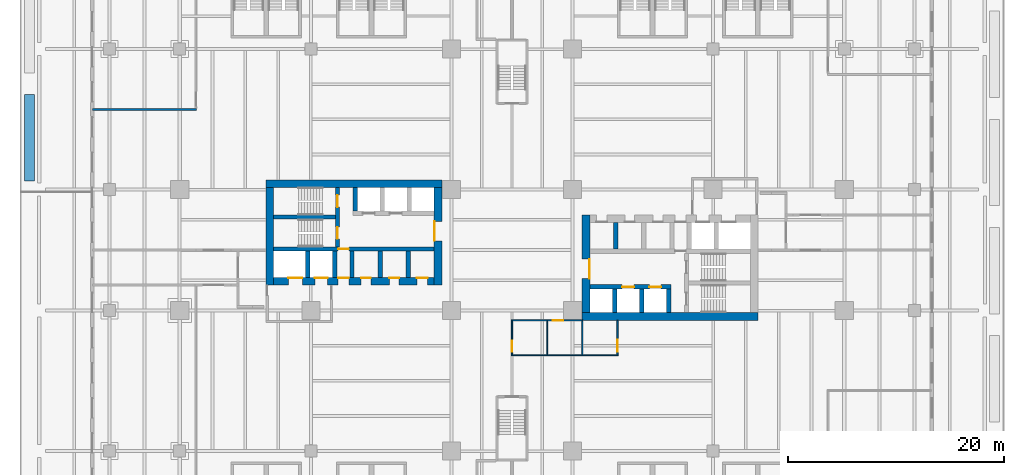
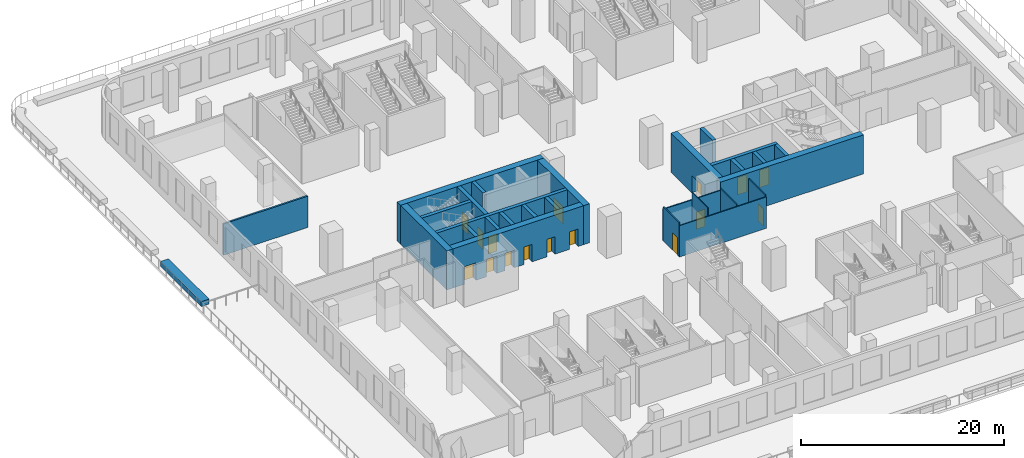
# One storey, part 9 of 18: 28 walls, 16 doors, 16 openings.
"""IFC4 building model written with IfcOpenShell, lengths in metres."""

from ifc_helpers import new_model, si_unit, direction, frame, frame_2d, origin, place, context, subcontext, project, spatial, polyline, rectangle, outline, extrude, source, transform, mapped, material, layer, layer_set, type_object, element, fill, save


model = new_model("IFC4")

# Units and contexts
model_context = context("Model", 3, precision=1e-05, world=origin(), true_north=direction((0.0, 1.0)))
body_context = subcontext(model_context, "Body", "Model", "MODEL_VIEW")
ifc_project = project(units=[si_unit("LENGTHUNIT", "METRE"), si_unit("AREAUNIT", "SQUARE_METRE"), si_unit("VOLUMEUNIT", "CUBIC_METRE"), si_unit("PLANEANGLEUNIT", "RADIAN"), si_unit("MASSUNIT", "GRAM", prefix="KILO")], contexts=[model_context])

# Site, building, storey
site_placement = place(None, origin())
site = spatial("IfcSite", under=ifc_project, at=site_placement, CompositionType="ELEMENT")
building_placement = place(site_placement, origin())
building = spatial("IfcBuilding", under=site, at=building_placement, Name="Trellis Farm Tower", CompositionType="ELEMENT")
storey_placement = place(building_placement, frame((0.0, 0.0, 14.0)))
storey = spatial("IfcBuildingStorey", under=building, at=storey_placement, Name="L02", CompositionType="ELEMENT", Elevation=14.0)

# Wall
ifc_material_1 = material(Name="Sandstone faced masonry planter", Category="masonry")
ifc_layer_1 = layer(ifc_material_1, 0.89990234375)
ifc_layer_set_1 = layer_set([ifc_layer_1], Name="TERRACE PLANTER BED 900")
wall_type_1 = type_object("IfcWallType", Name="TERRACE PLANTER BED 900", PredefinedType="USERDEFINED", material=ifc_layer_set_1)
wall_1_placement = place(storey_placement, origin())
element("IfcWall", 1, at=wall_1_placement, inside=storey, type_object=wall_type_1, Name="PLANTER bed", ObjectType="PLANTER", PredefinedType="USERDEFINED", context=body_context, shape_type="SweptSolid", body=[
    extrude(outline(polyline([(-45.10009765625, 14.375), (-44.199951171875, 14.375), (-44.199951171875, 6.375), (-45.10009765625, 6.375), (-45.10009765625, 14.375)])), origin(), (0.0, 0.0, 1.0), 0.60009765625),
])

# Wall, opening, door
ifc_material_2 = material(Name="Concrete C80/95", Category="concrete")
ifc_layer_2 = layer(ifc_material_2, 0.699951171875)
ifc_layer_set_2 = layer_set([ifc_layer_2], Name="CORE OUTER WALL 700 CONCRETE C80/95")
wall_type_2 = type_object("IfcWallType", Name="CORE OUTER WALL 700 CONCRETE C80/95", PredefinedType="SHEAR", material=ifc_layer_set_2)
shared_shape_1 = source(origin(), body_context, "Body", "SweptSolid", [
    extrude(rectangle(XDim=9.050048828125, YDim=0.699951171875, at=frame_2d((4.52490234375, 0.0))), origin(), (0.0, 0.0, 1.0), 4.699951171875),
])
wall_2_placement = place(storey_placement, frame((6.85009765625, -5.800048828125, 0.0), z_axis=(0.0, 0.0, 1.0), x_axis=(0.0, 1.0, 0.0)))
wall_2 = element("IfcWall", 2, at=wall_2_placement, inside=storey, type_object=wall_type_2, Name="Core wall", PredefinedType="SHEAR", context=body_context, shape_type="MappedRepresentation", body=[
    mapped(shared_shape_1, transform((0.0, 0.0, 0.0))),
])
shared_shape_2 = source(origin(), body_context, "Body", "SweptSolid", [
    extrude(rectangle(XDim=1.800048828125, YDim=2.10009765625, at=frame_2d((0.89990234375, 1.050048828125))), frame((0.0, 0.360107421875, 0.0), z_axis=(0.0, -1.0, 0.0), x_axis=(1.0, 0.0, 0.0)), (0.0, 0.0, 1.0), 0.72021484375),
])
opening_1_placement = place(wall_2_placement, frame((3.14990234375, 0.0, 0.0)))
opening_1 = element("IfcOpeningElement", 3, at=opening_1_placement, cuts=wall_2, Name="Opening DC1", PredefinedType="OPENING", context=body_context, shape_type="MappedRepresentation", body=[
    mapped(shared_shape_2, transform((0.0, 0.0, 0.0))),
])
ifc_material_3 = material(Name="Steel", Category="steel")
door_type_1 = type_object("IfcDoorType", Name="CORE FIRE DOOR DOUBLE 1800 X 2100", OperationType="DOUBLE_DOOR_SINGLE_SWING", PredefinedType="DOOR", material=ifc_material_3)
shared_shape_3 = source(origin(), body_context, "Body", "SweptSolid", [
    extrude(rectangle(XDim=1.800048828125, YDim=2.10009765625, at=frame_2d((0.89990234375, 1.050048828125))), frame((0.0, -0.27490234375, 0.0), z_axis=(0.0, -1.0, 0.0), x_axis=(1.0, 0.0, 0.0)), (0.0, 0.0, 1.0), 0.050048828125),
])
door_1_placement = place(opening_1_placement, origin())
door_1 = element("IfcDoor", 4, at=door_1_placement, inside=storey, type_object=door_type_1, Name="Core door", OperationType="DOUBLE_DOOR_SINGLE_SWING", OverallHeight=2.10009765625, OverallWidth=1.800048828125, PredefinedType="DOOR", context=body_context, shape_type="MappedRepresentation", body=[
    mapped(shared_shape_3, transform((0.0, 0.0, 0.0))),
])
fill(opening_1, door_1)

wall_3_placement = place(storey_placement, frame((-6.85009765625, 5.800048828125, 0.0), z_axis=(0.0, 0.0, 1.0), x_axis=(0.0, -1.0, 0.0)))
wall_3 = element("IfcWall", 5, at=wall_3_placement, inside=storey, type_object=wall_type_2, Name="Core wall", PredefinedType="SHEAR", context=body_context, shape_type="MappedRepresentation", body=[
    mapped(shared_shape_1, transform((0.0, 0.0, 0.0))),
])
opening_2_placement = place(wall_3_placement, frame((3.14990234375, 0.0, 0.0)))
opening_2 = element("IfcOpeningElement", 6, at=opening_2_placement, cuts=wall_3, Name="Opening DC87", PredefinedType="OPENING", context=body_context, shape_type="MappedRepresentation", body=[
    mapped(shared_shape_2, transform((0.0, 0.0, 0.0))),
])
door_2_placement = place(opening_2_placement, origin())
door_2 = element("IfcDoor", 7, at=door_2_placement, inside=storey, type_object=door_type_1, Name="Core door", OperationType="DOUBLE_DOOR_SINGLE_SWING", OverallHeight=2.10009765625, OverallWidth=1.800048828125, PredefinedType="DOOR", context=body_context, shape_type="MappedRepresentation", body=[
    mapped(shared_shape_3, transform((0.0, 0.0, 0.0))),
])
fill(opening_2, door_2)

# Walls
wall_4_placement = place(storey_placement, frame((-22.39990234375, 5.800048828125, 0.0), z_axis=(0.0, 0.0, 1.0), x_axis=(0.0, -1.0, 0.0)))
element("IfcWall", 8, at=wall_4_placement, inside=storey, type_object=wall_type_2, Name="Core wall", PredefinedType="SHEAR", context=body_context, shape_type="MappedRepresentation", body=[
    mapped(shared_shape_1, transform((0.0, 0.0, 0.0))),
])
ifc_layer_3 = layer(ifc_material_2, 0.39990234375)
ifc_layer_set_3 = layer_set([ifc_layer_3], Name="CORE INNER WALL 400 CONCRETE C80/95")
wall_type_3 = type_object("IfcWallType", Name="CORE INNER WALL 400 CONCRETE C80/95", PredefinedType="SHEAR", material=ifc_layer_set_3)
shared_shape_4 = source(origin(), body_context, "Body", "SweptSolid", [
    extrude(rectangle(XDim=2.199951171875, YDim=0.39990234375, at=frame_2d((1.10009765625, 0.0))), origin(), (0.0, 0.0, 1.0), 4.699951171875),
])
for number, where, z_axis, x_axis, name in (
    (9, (9.5, -5.800048828125, 0.0), (0.0, 0.0, 1.0), (0.0, 1.0, 0.0), "Core wall"),
    (10, (12.0, -5.800048828125, 0.0), (0.0, 0.0, 1.0), (0.0, 1.0, 0.0), "Core wall"),
    (11, (14.5, -5.800048828125, 0.0), (0.0, 0.0, 1.0), (0.0, 1.0, 0.0), "Core wall"),
    (12, (-14.5, 5.800048828125, 0.0), (0.0, 0.0, 1.0), (0.0, -1.0, 0.0), "Core wall"),
):
    element("IfcWall", number, at=place(storey_placement, frame(where, z_axis=z_axis, x_axis=x_axis)), inside=storey, type_object=wall_type_3, Name=name, PredefinedType="SHEAR", context=body_context, shape_type="MappedRepresentation", body=[
        mapped(shared_shape_4, transform((0.0, 0.0, 0.0))),
    ])
shared_shape_5 = source(origin(), body_context, "Body", "SweptSolid", [
    extrude(rectangle(XDim=2.449951171875, YDim=0.39990234375, at=frame_2d((1.22509765625, 0.0))), origin(), (0.0, 0.0, 1.0), 4.699951171875),
])
for number, where, z_axis, x_axis, name in (
    (13, (9.60009765625, 0.10009765625, 0.0), (0.0, 0.0, 1.0), (0.0, 1.0, 0.0), "Core wall"),
    (14, (-9.60009765625, -0.10009765625, 0.0), (0.0, 0.0, 1.0), (0.0, -1.0, 0.0), "Core wall"),
    (15, (-12.199951171875, -0.10009765625, 0.0), (0.0, 0.0, 1.0), (0.0, -1.0, 0.0), "Core wall"),
    (16, (-14.800048828125, -0.10009765625, 0.0), (0.0, 0.0, 1.0), (0.0, -1.0, 0.0), "Core wall"),
    (17, (-16.39990234375, -0.10009765625, 0.0), (0.0, 0.0, 1.0), (0.0, -1.0, 0.0), "Core wall"),
    (18, (-18.89990234375, -0.10009765625, 0.0), (0.0, 0.0, 1.0), (0.0, -1.0, 0.0), "Core wall"),
):
    element("IfcWall", number, at=place(storey_placement, frame(where, z_axis=z_axis, x_axis=x_axis)), inside=storey, type_object=wall_type_3, Name=name, PredefinedType="SHEAR", context=body_context, shape_type="MappedRepresentation", body=[
        mapped(shared_shape_5, transform((0.0, 0.0, 0.0))),
    ])
shared_shape_6 = source(origin(), body_context, "Body", "SweptSolid", [
    extrude(rectangle(XDim=16.25, YDim=0.699951171875, at=frame_2d((8.125, 0.0))), origin(), (0.0, 0.0, 1.0), 4.699951171875),
])
for number, where, z_axis, x_axis, name in (
    (19, (6.5, -6.14990234375, 0.0), (0.0, 0.0, 1.0), (1.0, 0.0, 0.0), "Core wall"),
    (20, (-6.5, 6.14990234375, 0.0), (0.0, 0.0, 1.0), (-1.0, 0.0, 0.0), "Core wall"),
):
    element("IfcWall", number, at=place(storey_placement, frame(where, z_axis=z_axis, x_axis=x_axis)), inside=storey, type_object=wall_type_2, Name=name, PredefinedType="SHEAR", context=body_context, shape_type="MappedRepresentation", body=[
        mapped(shared_shape_6, transform((0.0, 0.0, 0.0))),
    ])

# Wall, openings, doors
shared_shape_7 = source(origin(), body_context, "Body", "SweptSolid", [
    extrude(rectangle(XDim=14.85009765625, YDim=0.699951171875, at=frame_2d((7.425048828125, 0.0))), origin(), (0.0, 0.0, 1.0), 4.699951171875),
])
wall_5_placement = place(storey_placement, frame((-7.199951171875, -2.89990234375, 0.0), z_axis=(0.0, 0.0, 1.0), x_axis=(-1.0, 0.0, 0.0)))
wall_5 = element("IfcWall", 21, at=wall_5_placement, inside=storey, type_object=wall_type_2, Name="Core wall", PredefinedType="SHEAR", context=body_context, shape_type="MappedRepresentation", body=[
    mapped(shared_shape_7, transform((0.0, 0.0, 0.0))),
])
shared_shape_8 = source(origin(), body_context, "Body", "SweptSolid", [
    extrude(rectangle(XDim=1.300048828125, YDim=2.10009765625, at=frame_2d((0.64990234375, 1.050048828125))), frame((0.0, 0.360107421875, 0.0), z_axis=(0.0, -1.0, 0.0), x_axis=(1.0, 0.0, 0.0)), (0.0, 0.0, 1.0), 0.72021484375),
])
opening_3_placement = place(wall_5_placement, frame((12.199951171875, 0.0, 0.0)))
opening_3 = element("IfcOpeningElement", 22, at=opening_3_placement, cuts=wall_5, Name="Opening LD15", PredefinedType="OPENING", context=body_context, shape_type="MappedRepresentation", body=[
    mapped(shared_shape_8, transform((0.0, 0.0, 0.0))),
])
shared_shape_9 = source(origin(), body_context, "Body", "SweptSolid", [
    extrude(rectangle(XDim=1.199951171875, YDim=2.10009765625, at=frame_2d((0.60009765625, 1.050048828125))), frame((0.0, 0.360107421875, 0.0), z_axis=(0.0, -1.0, 0.0), x_axis=(1.0, 0.0, 0.0)), (0.0, 0.0, 1.0), 0.72021484375),
])
opening_4_placement = place(wall_5_placement, frame((9.85009765625, 0.0, 0.0)))
opening_4 = element("IfcOpeningElement", 23, at=opening_4_placement, cuts=wall_5, Name="Opening LD16", PredefinedType="OPENING", context=body_context, shape_type="MappedRepresentation", body=[
    mapped(shared_shape_9, transform((0.0, 0.0, 0.0))),
])
shared_shape_10 = source(origin(), body_context, "Body", "SweptSolid", [
    extrude(rectangle(XDim=1.0, YDim=2.10009765625, at=frame_2d((0.5, 1.050048828125))), frame((0.0, 0.360107421875, 0.0), z_axis=(0.0, -1.0, 0.0), x_axis=(1.0, 0.0, 0.0)), (0.0, 0.0, 1.0), 0.72021484375),
])
opening_5_placement = place(wall_5_placement, frame((7.89990234375, 0.0, 0.0)))
opening_5 = element("IfcOpeningElement", 24, at=opening_5_placement, cuts=wall_5, Name="Opening DC92", PredefinedType="OPENING", context=body_context, shape_type="MappedRepresentation", body=[
    mapped(shared_shape_10, transform((0.0, 0.0, 0.0))),
])
opening_6_placement = place(wall_5_placement, frame((0.60009765625, 0.0, 0.0)))
opening_6 = element("IfcOpeningElement", 25, at=opening_6_placement, cuts=wall_5, Name="Opening DC99", PredefinedType="OPENING", context=body_context, shape_type="MappedRepresentation", body=[
    mapped(shared_shape_10, transform((0.0, 0.0, 0.0))),
])
shared_shape_11 = source(origin(), body_context, "Body", "SweptSolid", [
    extrude(rectangle(XDim=0.89990234375, YDim=2.10009765625, at=frame_2d((0.449951171875, 1.050048828125))), frame((0.0, 0.360107421875, 0.0), z_axis=(0.0, -1.0, 0.0), x_axis=(1.0, 0.0, 0.0)), (0.0, 0.0, 1.0), 0.72021484375),
])
opening_7_placement = place(wall_5_placement, frame((3.25, 0.0, 0.0)))
opening_7 = element("IfcOpeningElement", 26, at=opening_7_placement, cuts=wall_5, Name="Opening DC110", PredefinedType="OPENING", context=body_context, shape_type="MappedRepresentation", body=[
    mapped(shared_shape_11, transform((0.0, 0.0, 0.0))),
])
opening_8_placement = place(wall_5_placement, frame((5.85009765625, 0.0, 0.0)))
opening_8 = element("IfcOpeningElement", 27, at=opening_8_placement, cuts=wall_5, Name="Opening DC121", PredefinedType="OPENING", context=body_context, shape_type="MappedRepresentation", body=[
    mapped(shared_shape_11, transform((0.0, 0.0, 0.0))),
])
door_type_2 = type_object("IfcDoorType", Name="CORE FIRE DOOR 1000 X 2100", OperationType="NOTDEFINED", PredefinedType="DOOR", material=ifc_material_3)
shared_shape_12 = source(origin(), body_context, "Body", "SweptSolid", [
    extrude(rectangle(XDim=1.0, YDim=2.10009765625, at=frame_2d((0.5, 1.050048828125))), frame((0.0, -0.27490234375, 0.0), z_axis=(0.0, -1.0, 0.0), x_axis=(1.0, 0.0, 0.0)), (0.0, 0.0, 1.0), 0.050048828125),
])
door_3_placement = place(opening_5_placement, origin())
door_3 = element("IfcDoor", 28, at=door_3_placement, inside=storey, type_object=door_type_2, Name="Core door", OperationType="SINGLE_SWING_LEFT", OverallHeight=2.10009765625, OverallWidth=1.0, PredefinedType="DOOR", context=body_context, shape_type="MappedRepresentation", body=[
    mapped(shared_shape_12, transform((0.0, 0.0, 0.0))),
])
fill(opening_5, door_3)
door_4_placement = place(opening_6_placement, origin())
door_4 = element("IfcDoor", 29, at=door_4_placement, inside=storey, type_object=door_type_2, Name="Core door", OperationType="SINGLE_SWING_LEFT", OverallHeight=2.10009765625, OverallWidth=1.0, PredefinedType="DOOR", context=body_context, shape_type="MappedRepresentation", body=[
    mapped(shared_shape_12, transform((0.0, 0.0, 0.0))),
])
fill(opening_6, door_4)
door_type_3 = type_object("IfcDoorType", Name="CORE FIRE DOOR 900 X 2100", OperationType="NOTDEFINED", PredefinedType="DOOR", material=ifc_material_3)
shared_shape_13 = source(origin(), body_context, "Body", "SweptSolid", [
    extrude(rectangle(XDim=0.89990234375, YDim=2.10009765625, at=frame_2d((0.449951171875, 1.050048828125))), frame((0.0, -0.27490234375, 0.0), z_axis=(0.0, -1.0, 0.0), x_axis=(1.0, 0.0, 0.0)), (0.0, 0.0, 1.0), 0.050048828125),
])
door_5_placement = place(opening_7_placement, origin())
door_5 = element("IfcDoor", 30, at=door_5_placement, inside=storey, type_object=door_type_3, Name="Core door", OperationType="SINGLE_SWING_RIGHT", OverallHeight=2.10009765625, OverallWidth=0.89990234375, PredefinedType="DOOR", context=body_context, shape_type="MappedRepresentation", body=[
    mapped(shared_shape_13, transform((0.0, 0.0, 0.0))),
])
fill(opening_7, door_5)
door_6_placement = place(opening_8_placement, origin())
door_6 = element("IfcDoor", 31, at=door_6_placement, inside=storey, type_object=door_type_3, Name="Core door", OperationType="SINGLE_SWING_LEFT", OverallHeight=2.10009765625, OverallWidth=0.89990234375, PredefinedType="DOOR", context=body_context, shape_type="MappedRepresentation", body=[
    mapped(shared_shape_13, transform((0.0, 0.0, 0.0))),
])
fill(opening_8, door_6)
ifc_material_4 = material(Name="Stainless steel", Category="steel")
door_type_4 = type_object("IfcDoorType", Name="LIFT LANDING DOOR 1300 X 2100", OperationType="DOUBLE_DOOR_SLIDING", PredefinedType="DOOR", material=ifc_material_4)
shared_shape_14 = source(origin(), body_context, "Body", "SweptSolid", [
    extrude(rectangle(XDim=1.300048828125, YDim=2.10009765625, at=frame_2d((0.64990234375, 1.050048828125))), frame((0.0, -0.27490234375, 0.0), z_axis=(0.0, -1.0, 0.0), x_axis=(1.0, 0.0, 0.0)), (0.0, 0.0, 1.0), 0.050048828125),
])
door_7_placement = place(opening_3_placement, origin())
door_7 = element("IfcDoor", 32, at=door_7_placement, inside=storey, type_object=door_type_4, Name="Lift landing door", OperationType="DOUBLE_DOOR_SLIDING", OverallHeight=2.10009765625, OverallWidth=1.300048828125, PredefinedType="DOOR", context=body_context, shape_type="MappedRepresentation", body=[
    mapped(shared_shape_14, transform((0.0, 0.0, 0.0))),
])
fill(opening_3, door_7)
door_type_5 = type_object("IfcDoorType", Name="LIFT LANDING DOOR 1200 X 2100", OperationType="DOUBLE_DOOR_SLIDING", PredefinedType="DOOR", material=ifc_material_4)
shared_shape_15 = source(origin(), body_context, "Body", "SweptSolid", [
    extrude(rectangle(XDim=1.199951171875, YDim=2.10009765625, at=frame_2d((0.60009765625, 1.050048828125))), frame((0.0, -0.27490234375, 0.0), z_axis=(0.0, -1.0, 0.0), x_axis=(1.0, 0.0, 0.0)), (0.0, 0.0, 1.0), 0.050048828125),
])
door_8_placement = place(opening_4_placement, origin())
door_8 = element("IfcDoor", 33, at=door_8_placement, inside=storey, type_object=door_type_5, Name="Lift landing door", OperationType="DOUBLE_DOOR_SLIDING", OverallHeight=2.10009765625, OverallWidth=1.199951171875, PredefinedType="DOOR", context=body_context, shape_type="MappedRepresentation", body=[
    mapped(shared_shape_15, transform((0.0, 0.0, 0.0))),
])
fill(opening_4, door_8)

shared_shape_16 = source(origin(), body_context, "Body", "SweptSolid", [
    extrude(rectangle(XDim=7.5, YDim=0.39990234375, at=frame_2d((3.75, 0.0))), origin(), (0.0, 0.0, 1.0), 4.699951171875),
])
wall_6_placement = place(storey_placement, frame((7.199951171875, -3.39990234375, 0.0), z_axis=(0.0, 0.0, 1.0), x_axis=(1.0, 0.0, 0.0)))
wall_6 = element("IfcWall", 34, at=wall_6_placement, inside=storey, type_object=wall_type_3, Name="Core wall", PredefinedType="SHEAR", context=body_context, shape_type="MappedRepresentation", body=[
    mapped(shared_shape_16, transform((0.0, 0.0, 0.0))),
])
shared_shape_17 = source(origin(), body_context, "Body", "SweptSolid", [
    extrude(rectangle(XDim=1.10009765625, YDim=2.10009765625, at=frame_2d((0.550048828125, 1.050048828125))), frame((0.0, 0.2099609375, 0.0), z_axis=(0.0, -1.0, 0.0), x_axis=(1.0, 0.0, 0.0)), (0.0, 0.0, 1.0), 0.419921875),
])
opening_9_placement = place(wall_6_placement, frame((3.0, 0.0, 0.0)))
opening_9 = element("IfcOpeningElement", 35, at=opening_9_placement, cuts=wall_6, Name="Opening LD2", PredefinedType="OPENING", context=body_context, shape_type="MappedRepresentation", body=[
    mapped(shared_shape_17, transform((0.0, 0.0, 0.0))),
])
opening_10_placement = place(wall_6_placement, frame((5.5, 0.0, 0.0)))
opening_10 = element("IfcOpeningElement", 36, at=opening_10_placement, cuts=wall_6, Name="Opening LD3", PredefinedType="OPENING", context=body_context, shape_type="MappedRepresentation", body=[
    mapped(shared_shape_17, transform((0.0, 0.0, 0.0))),
])
door_type_6 = type_object("IfcDoorType", Name="LIFT LANDING DOOR 1100 X 2100", OperationType="DOUBLE_DOOR_SLIDING", PredefinedType="DOOR", material=ifc_material_4)
shared_shape_18 = source(origin(), body_context, "Body", "SweptSolid", [
    extrude(rectangle(XDim=1.10009765625, YDim=2.10009765625, at=frame_2d((0.550048828125, 1.050048828125))), frame((0.0, 0.02490234375, 0.0), z_axis=(0.0, -1.0, 0.0), x_axis=(1.0, 0.0, 0.0)), (0.0, 0.0, 1.0), 0.050048828125),
])
door_9_placement = place(opening_9_placement, origin())
door_9 = element("IfcDoor", 37, at=door_9_placement, inside=storey, type_object=door_type_6, Name="Lift landing door", OperationType="DOUBLE_DOOR_SLIDING", OverallHeight=2.10009765625, OverallWidth=1.10009765625, PredefinedType="DOOR", context=body_context, shape_type="MappedRepresentation", body=[
    mapped(shared_shape_18, transform((0.0, 0.0, 0.0))),
])
fill(opening_9, door_9)
door_10_placement = place(opening_10_placement, origin())
door_10 = element("IfcDoor", 38, at=door_10_placement, inside=storey, type_object=door_type_6, Name="Lift landing door", OperationType="DOUBLE_DOOR_SLIDING", OverallHeight=2.10009765625, OverallWidth=1.10009765625, PredefinedType="DOOR", context=body_context, shape_type="MappedRepresentation", body=[
    mapped(shared_shape_18, transform((0.0, 0.0, 0.0))),
])
fill(opening_10, door_10)

# Wall, opening, door
shared_shape_19 = source(origin(), body_context, "Body", "SweptSolid", [
    extrude(rectangle(XDim=14.85009765625, YDim=0.39990234375, at=frame_2d((7.425048828125, 0.0))), origin(), (0.0, 0.0, 1.0), 4.699951171875),
])
wall_7_placement = place(storey_placement, frame((-7.199951171875, 0.10009765625, 0.0), z_axis=(0.0, 0.0, 1.0), x_axis=(-1.0, 0.0, 0.0)))
wall_7 = element("IfcWall", 39, at=wall_7_placement, inside=storey, type_object=wall_type_3, Name="Core wall", PredefinedType="SHEAR", context=body_context, shape_type="MappedRepresentation", body=[
    mapped(shared_shape_19, transform((0.0, 0.0, 0.0))),
])
shared_shape_20 = source(origin(), body_context, "Body", "SweptSolid", [
    extrude(rectangle(XDim=1.0, YDim=2.10009765625, at=frame_2d((0.5, 1.050048828125))), frame((0.0, 0.2099609375, 0.0), z_axis=(0.0, -1.0, 0.0), x_axis=(1.0, 0.0, 0.0)), (0.0, 0.0, 1.0), 0.419921875),
])
opening_11_placement = place(wall_7_placement, frame((7.89990234375, 0.0, 0.0)))
opening_11 = element("IfcOpeningElement", 40, at=opening_11_placement, cuts=wall_7, Name="Opening DC91", PredefinedType="OPENING", context=body_context, shape_type="MappedRepresentation", body=[
    mapped(shared_shape_20, transform((0.0, 0.0, 0.0))),
])
shared_shape_21 = source(origin(), body_context, "Body", "SweptSolid", [
    extrude(rectangle(XDim=1.0, YDim=2.10009765625, at=frame_2d((0.5, 1.050048828125))), frame((0.0, 0.02490234375, 0.0), z_axis=(0.0, -1.0, 0.0), x_axis=(1.0, 0.0, 0.0)), (0.0, 0.0, 1.0), 0.050048828125),
])
door_11_placement = place(opening_11_placement, origin())
door_11 = element("IfcDoor", 41, at=door_11_placement, inside=storey, type_object=door_type_2, Name="Core door", OperationType="SINGLE_SWING_RIGHT", OverallHeight=2.10009765625, OverallWidth=1.0, PredefinedType="DOOR", context=body_context, shape_type="MappedRepresentation", body=[
    mapped(shared_shape_21, transform((0.0, 0.0, 0.0))),
])
fill(opening_11, door_11)

# Wall, openings, doors
shared_shape_22 = source(origin(), body_context, "Body", "SweptSolid", [
    extrude(rectangle(XDim=5.5, YDim=0.39990234375, at=frame_2d((2.75, 0.0))), origin(), (0.0, 0.0, 1.0), 4.699951171875),
])
wall_8_placement = place(storey_placement, frame((-16.14990234375, 5.800048828125, 0.0), z_axis=(0.0, 0.0, 1.0), x_axis=(0.0, -1.0, 0.0)))
wall_8 = element("IfcWall", 42, at=wall_8_placement, inside=storey, type_object=wall_type_3, Name="Core wall", PredefinedType="SHEAR", context=body_context, shape_type="MappedRepresentation", body=[
    mapped(shared_shape_22, transform((0.0, 0.0, 0.0))),
])
opening_12_placement = place(wall_8_placement, frame((0.72509765625, 0.0, 0.0)))
opening_12 = element("IfcOpeningElement", 43, at=opening_12_placement, cuts=wall_8, Name="Opening DC88", PredefinedType="OPENING", context=body_context, shape_type="MappedRepresentation", body=[
    mapped(shared_shape_17, transform((0.0, 0.0, 0.0))),
])
opening_13_placement = place(wall_8_placement, frame((3.675048828125, 0.0, 0.0)))
opening_13 = element("IfcOpeningElement", 44, at=opening_13_placement, cuts=wall_8, Name="Opening DC89", PredefinedType="OPENING", context=body_context, shape_type="MappedRepresentation", body=[
    mapped(shared_shape_17, transform((0.0, 0.0, 0.0))),
])
door_type_7 = type_object("IfcDoorType", Name="CORE FIRE DOOR 1100 X 2100", OperationType="NOTDEFINED", PredefinedType="DOOR", material=ifc_material_3)
door_12_placement = place(opening_12_placement, origin())
door_12 = element("IfcDoor", 45, at=door_12_placement, inside=storey, type_object=door_type_7, Name="Core door", OperationType="SINGLE_SWING_RIGHT", OverallHeight=2.10009765625, OverallWidth=1.10009765625, PredefinedType="DOOR", context=body_context, shape_type="MappedRepresentation", body=[
    mapped(shared_shape_18, transform((0.0, 0.0, 0.0))),
])
fill(opening_12, door_12)
door_13_placement = place(opening_13_placement, origin())
door_13 = element("IfcDoor", 46, at=door_13_placement, inside=storey, type_object=door_type_7, Name="Core door", OperationType="SINGLE_SWING_LEFT", OverallHeight=2.10009765625, OverallWidth=1.10009765625, PredefinedType="DOOR", context=body_context, shape_type="MappedRepresentation", body=[
    mapped(shared_shape_18, transform((0.0, 0.0, 0.0))),
])
fill(opening_13, door_13)

# Walls
shared_shape_23 = source(origin(), body_context, "Body", "SweptSolid", [
    extrude(rectangle(XDim=5.699951171875, YDim=0.39990234375, at=frame_2d((2.85009765625, 0.0))), origin(), (0.0, 0.0, 1.0), 4.699951171875),
])
wall_9_placement = place(storey_placement, frame((-16.35009765625, 3.050048828125, 0.0), z_axis=(0.0, 0.0, 1.0), x_axis=(-1.0, 0.0, 0.0)))
element("IfcWall", 47, at=wall_9_placement, inside=storey, type_object=wall_type_3, Name="Core wall", PredefinedType="SHEAR", context=body_context, shape_type="MappedRepresentation", body=[
    mapped(shared_shape_23, transform((0.0, 0.0, 0.0))),
])
ifc_material_5 = material(Name="Lightweight blockwork, plastered", Category="masonry")
ifc_layer_4 = layer(ifc_material_5, 0.199951171875)
ifc_layer_set_4 = layer_set([ifc_layer_4], Name="BLOCK WALL 200 EI 120")
wall_type_4 = type_object("IfcWallType", Name="BLOCK WALL 200 EI 120", PredefinedType="PARTITIONING", material=ifc_layer_set_4)
shared_shape_24 = source(origin(), body_context, "Body", "SweptSolid", [
    extrude(rectangle(XDim=9.612548828125, YDim=0.199951171875, at=frame_2d((4.80615234375, 0.0))), origin(), (0.0, 0.0, 1.0), 3.76171875),
])
wall_10_placement = place(storey_placement, frame((-38.800048828125, 13.0, 0.0), z_axis=(0.0, 0.0, 1.0), x_axis=(1.0, 0.0, 0.0)))
element("IfcWall", 48, at=wall_10_placement, inside=storey, type_object=wall_type_4, Name="Partition PW3", PredefinedType="PARTITIONING", context=body_context, shape_type="MappedRepresentation", body=[
    mapped(shared_shape_24, transform((0.0, 0.0, 0.0))),
])

# Wall, opening, door
ifc_material_6 = material(Name="Plasterboard on steel studs, mineral wool", Category="steel")
ifc_layer_5 = layer(ifc_material_6, 0.125)
ifc_layer_set_5 = layer_set([ifc_layer_5], Name="PARTITION 125 STUD EI 60")
wall_type_5 = type_object("IfcWallType", Name="PARTITION 125 STUD EI 60", PredefinedType="PARTITIONING", material=ifc_layer_set_5)
shared_shape_25 = source(origin(), body_context, "Body", "SweptSolid", [
    extrude(rectangle(XDim=3.137451171875, YDim=0.125, at=frame_2d((1.56884765625, 0.0))), origin(), (0.0, 0.0, 1.0), 4.077392578125),
])
wall_11_placement = place(storey_placement, frame((0.0, -6.5625, 0.0), z_axis=(0.0, 0.0, 1.0), x_axis=(0.0, -1.0, 0.0)))
wall_11 = element("IfcWall", 49, at=wall_11_placement, inside=storey, type_object=wall_type_5, Name="Partition PW1", PredefinedType="PARTITIONING", context=body_context, shape_type="MappedRepresentation", body=[
    mapped(shared_shape_25, transform((0.0, 0.0, 0.0))),
])
shared_shape_26 = source(origin(), body_context, "Body", "SweptSolid", [
    extrude(rectangle(XDim=1.0, YDim=2.10009765625, at=frame_2d((0.5, 1.050048828125))), frame((0.0, 0.072509765625, 0.0), z_axis=(0.0, -1.0, 0.0), x_axis=(1.0, 0.0, 0.0)), (0.0, 0.0, 1.0), 0.14501953125),
])
opening_14_placement = place(wall_11_placement, frame((1.83740234375, 0.0, 0.0)))
opening_14 = element("IfcOpeningElement", 50, at=opening_14_placement, cuts=wall_11, Name="Opening D102", PredefinedType="OPENING", context=body_context, shape_type="MappedRepresentation", body=[
    mapped(shared_shape_26, transform((0.0, 0.0, 0.0))),
])
ifc_material_7 = material(Name="Fire-rated timber door leaf in a hollow metal frame", Category="wood")
door_type_8 = type_object("IfcDoorType", Name="DOOR 1000x2100 FD30S", OperationType="NOTDEFINED", PredefinedType="DOOR", material=ifc_material_7)
door_14_placement = place(opening_14_placement, origin())
door_14 = element("IfcDoor", 51, at=door_14_placement, inside=storey, type_object=door_type_8, Name="Door D102", OperationType="SINGLE_SWING_RIGHT", OverallHeight=2.10009765625, OverallWidth=1.0, PredefinedType="DOOR", context=body_context, shape_type="MappedRepresentation", body=[
    mapped(shared_shape_21, transform((0.0, 0.0, 0.0))),
])
fill(opening_14, door_14)

# Walls
ifc_material_8 = material(Name="Plasterboard on steel studs", Category="steel")
ifc_layer_6 = layer(ifc_material_8, 0.10009765625)
ifc_layer_set_6 = layer_set([ifc_layer_6], Name="PARTITION 100 STUD EI 30")
wall_type_6 = type_object("IfcWallType", Name="PARTITION 100 STUD EI 30", PredefinedType="PARTITIONING", material=ifc_layer_set_6)
shared_shape_27 = source(origin(), body_context, "Body", "SweptSolid", [
    extrude(rectangle(XDim=3.137451171875, YDim=0.10009765625, at=frame_2d((1.56884765625, 0.0))), origin(), (0.0, 0.0, 1.0), 4.699951171875),
])
wall_12_placement = place(storey_placement, frame((3.25, -9.699951171875, 0.0), z_axis=(0.0, 0.0, 1.0), x_axis=(0.0, 1.0, 0.0)))
element("IfcWall", 52, at=wall_12_placement, inside=storey, type_object=wall_type_6, Name="Partition PW2", PredefinedType="PARTITIONING", context=body_context, shape_type="MappedRepresentation", body=[
    mapped(shared_shape_27, transform((0.0, 0.0, 0.0))),
])
shared_shape_28 = source(origin(), body_context, "Body", "SweptSolid", [
    extrude(rectangle(XDim=3.137451171875, YDim=0.10009765625, at=frame_2d((1.56884765625, 0.0))), origin(), (0.0, 0.0, 1.0), 3.996337890625),
])
wall_13_placement = place(storey_placement, frame((6.5, -9.699951171875, 0.0), z_axis=(0.0, 0.0, 1.0), x_axis=(0.0, 1.0, 0.0)))
element("IfcWall", 53, at=wall_13_placement, inside=storey, type_object=wall_type_6, Name="Partition PW2", PredefinedType="PARTITIONING", context=body_context, shape_type="MappedRepresentation", body=[
    mapped(shared_shape_28, transform((0.0, 0.0, 0.0))),
])

# Wall, opening, door
shared_shape_29 = source(origin(), body_context, "Body", "SweptSolid", [
    extrude(rectangle(XDim=3.199951171875, YDim=0.125, at=frame_2d((1.60009765625, 0.0))), origin(), (0.0, 0.0, 1.0), 3.996337890625),
])
wall_14_placement = place(storey_placement, frame((9.75, -9.699951171875, 0.0), z_axis=(0.0, 0.0, 1.0), x_axis=(0.0, 1.0, 0.0)))
wall_14 = element("IfcWall", 54, at=wall_14_placement, inside=storey, type_object=wall_type_5, Name="Partition PW1", PredefinedType="PARTITIONING", context=body_context, shape_type="MappedRepresentation", body=[
    mapped(shared_shape_29, transform((0.0, 0.0, 0.0))),
])
shared_shape_30 = source(origin(), body_context, "Body", "SweptSolid", [
    extrude(rectangle(XDim=1.10009765625, YDim=2.10009765625, at=frame_2d((0.550048828125, 1.050048828125))), frame((0.0, 0.072509765625, 0.0), z_axis=(0.0, -1.0, 0.0), x_axis=(1.0, 0.0, 0.0)), (0.0, 0.0, 1.0), 0.14501953125),
])
opening_15_placement = place(wall_14_placement, frame((0.300048828125, 0.0, 0.0)))
opening_15 = element("IfcOpeningElement", 55, at=opening_15_placement, cuts=wall_14, Name="Opening D501", PredefinedType="OPENING", context=body_context, shape_type="MappedRepresentation", body=[
    mapped(shared_shape_30, transform((0.0, 0.0, 0.0))),
])
door_type_9 = type_object("IfcDoorType", Name="DOOR 1100x2100 FD30S", OperationType="NOTDEFINED", PredefinedType="DOOR", material=ifc_material_7)
door_15_placement = place(opening_15_placement, origin())
door_15 = element("IfcDoor", 56, at=door_15_placement, inside=storey, type_object=door_type_9, Name="Door D501", OperationType="SINGLE_SWING_LEFT", OverallHeight=2.10009765625, OverallWidth=1.10009765625, PredefinedType="DOOR", context=body_context, shape_type="MappedRepresentation", body=[
    mapped(shared_shape_18, transform((0.0, 0.0, 0.0))),
])
fill(opening_15, door_15)

# Wall
shared_shape_31 = source(origin(), body_context, "Body", "SweptSolid", [
    extrude(rectangle(XDim=9.875, YDim=0.10009765625, at=frame_2d((4.9375, 0.0))), origin(), (0.0, 0.0, 1.0), 3.76171875),
])
wall_15_placement = place(storey_placement, frame((-0.0625, -9.75, 0.0), z_axis=(0.0, 0.0, 1.0), x_axis=(1.0, 0.0, 0.0)))
element("IfcWall", 57, at=wall_15_placement, inside=storey, type_object=wall_type_6, Name="Partition PW2", PredefinedType="PARTITIONING", context=body_context, shape_type="MappedRepresentation", body=[
    mapped(shared_shape_31, transform((0.0, 0.0, 0.0))),
])

# Wall, opening, door
shared_shape_32 = source(origin(), body_context, "Body", "SweptSolid", [
    extrude(rectangle(XDim=6.612548828125, YDim=0.125, at=frame_2d((3.30615234375, 0.0))), origin(), (0.0, 0.0, 1.0), 3.76171875),
])
wall_16_placement = place(storey_placement, frame((6.550048828125, -6.5, 0.0), z_axis=(0.0, 0.0, 1.0), x_axis=(-1.0, 0.0, 0.0)))
wall_16 = element("IfcWall", 58, at=wall_16_placement, inside=storey, type_object=wall_type_5, Name="Partition PW1", PredefinedType="PARTITIONING", context=body_context, shape_type="MappedRepresentation", body=[
    mapped(shared_shape_32, transform((0.0, 0.0, 0.0))),
])
opening_16_placement = place(wall_16_placement, frame((1.800048828125, 0.0, 0.0)))
opening_16 = element("IfcOpeningElement", 59, at=opening_16_placement, cuts=wall_16, Name="Opening D103", PredefinedType="OPENING", context=body_context, shape_type="MappedRepresentation", body=[
    mapped(shared_shape_26, transform((0.0, 0.0, 0.0))),
])
door_16_placement = place(opening_16_placement, origin())
door_16 = element("IfcDoor", 60, at=door_16_placement, inside=storey, type_object=door_type_8, Name="Door D103", OperationType="SINGLE_SWING_LEFT", OverallHeight=2.10009765625, OverallWidth=1.0, PredefinedType="DOOR", context=body_context, shape_type="MappedRepresentation", body=[
    mapped(shared_shape_21, transform((0.0, 0.0, 0.0))),
])
fill(opening_16, door_16)

save(model, "model.ifc")
